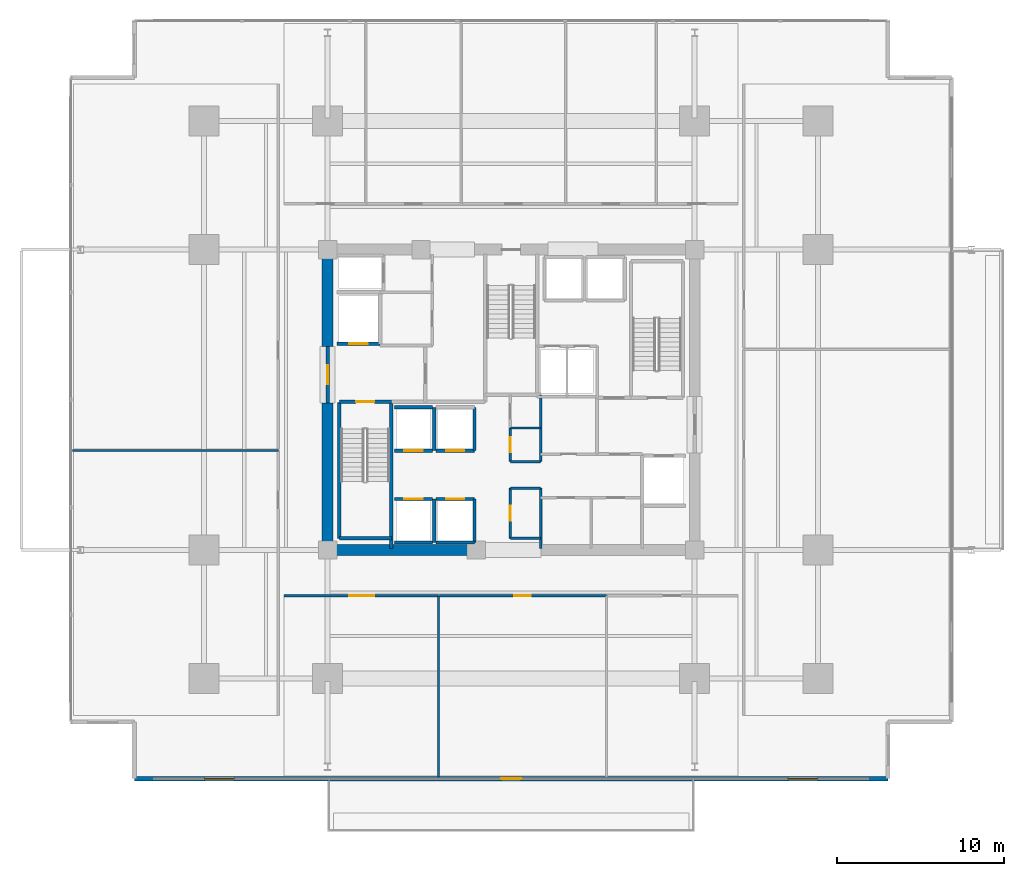
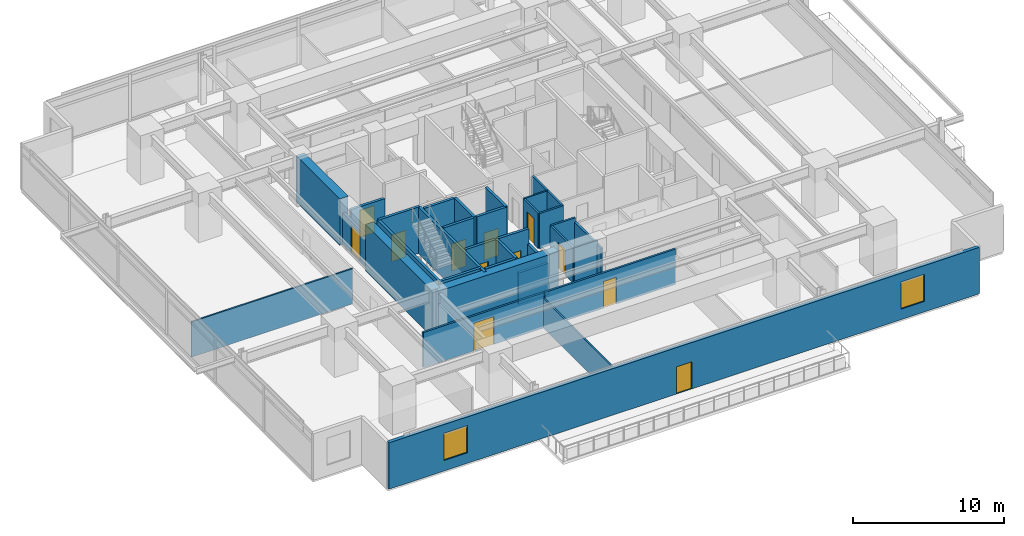
# One storey, part 16 of 24: 33 walls, 12 doors, 2 windows, 14 openings.
"""IFC4 building model written with IfcOpenShell, lengths in metres."""

import ifcopenshell
import ifcopenshell.guid

model = None  # the IFC model being written
_history = None  # IfcOwnerHistory: only IFC2X3 demands one
_inside = {}  # id of a spatial element -> (the spatial element, [elements in it])
_under = {}  # id of a project, library or spatial element -> (it, [spatial elements below it])
_declared = {}  # id of a project -> (the project, [libraries it declares])
_typed = {}  # id of a type object -> (the type object, [elements of that type])
_made_of = {}  # id of a material, layer set ... -> (it, [elements and type objects made of it])


def new_model(schema):
    """Start an empty IFC model of exactly this schema.

    Asked for "IFC4X3", IfcOpenShell would pick the latest addendum, in which some entities
    have other attributes; the version numbers below select the first issue.
    IFC2X3 requires an IfcOwnerHistory on every rooted entity: one is made here for all.
    """
    global model, _history
    if schema == "IFC4X3":
        model = ifcopenshell.file(schema_version=(4, 3, 0, 0))
    else:
        model = ifcopenshell.file(schema=schema)
    _inside.clear()
    _under.clear()
    _declared.clear()
    _typed.clear()
    _made_of.clear()
    _history = None
    if model.schema == "IFC2X3":
        org = make("IfcOrganization", Name="unknown")
        user = make(
            "IfcPersonAndOrganization",
            ThePerson=make("IfcPerson", FamilyName="unknown"),
            TheOrganization=org,
        )
        app = make(
            "IfcApplication",
            ApplicationDeveloper=org,
            Version="unknown",
            ApplicationFullName="unknown",
            ApplicationIdentifier="unknown",
        )
        _history = make(
            "IfcOwnerHistory",
            OwningUser=user,
            OwningApplication=app,
            ChangeAction="ADDED",
            CreationDate=0,
        )
    return model


def make(cls, **values):
    """One entity of the class cls with the attributes given. An attribute that is None is left unset."""
    return model.create_entity(
        cls, **{name: value for name, value in values.items() if value is not None}
    )


def rooted(cls, **values):
    """An entity with a GlobalId (a new one), such as an element, a storey or a relation."""
    return make(cls, GlobalId=ifcopenshell.guid.new(), OwnerHistory=_history, **values)


def si_unit(unit_type, name, prefix=None):
    """IfcSIUnit, for example si_unit("LENGTHUNIT", "METRE", prefix="MILLI")."""
    return make("IfcSIUnit", UnitType=unit_type, Prefix=prefix, Name=name)


def assignment(units):
    """IfcUnitAssignment: the units of a project."""
    return None if units is None else make("IfcUnitAssignment", Units=units)


def point(xyz):
    """IfcCartesianPoint."""
    return None if xyz is None else make("IfcCartesianPoint", Coordinates=xyz)


def direction(xyz):
    """IfcDirection."""
    return None if xyz is None else make("IfcDirection", DirectionRatios=xyz)


def frame(location, z_axis=None, x_axis=None):
    """IfcAxis2Placement3D, a coordinate frame: its origin and axes. An axis left out is left unset."""
    return make(
        "IfcAxis2Placement3D",
        Location=point(location),
        Axis=direction(z_axis),
        RefDirection=direction(x_axis),
    )


def frame_2d(location, x_axis=None):
    """IfcAxis2Placement2D, a coordinate frame in the plane: its origin and x axis."""
    return make(
        "IfcAxis2Placement2D", Location=point(location), RefDirection=direction(x_axis)
    )


def origin():
    """The frame at (0, 0, 0) with its axes left unset."""
    return frame((0.0, 0.0, 0.0))


def place(relative_to, where):
    """IfcLocalPlacement: puts the frame where relative to a parent placement (None: the world)."""
    return make(
        "IfcLocalPlacement", PlacementRelTo=relative_to, RelativePlacement=where
    )


def context(
    kind, dimensions, precision=None, world=None, true_north=None, identifier=None
):
    """IfcGeometricRepresentationContext, for example the 3D "Model" context."""
    return make(
        "IfcGeometricRepresentationContext",
        ContextIdentifier=identifier,
        ContextType=kind,
        CoordinateSpaceDimension=dimensions,
        Precision=precision,
        WorldCoordinateSystem=world,
        TrueNorth=true_north,
    )


def subcontext(parent, identifier, kind, view, scale=None):
    """IfcGeometricRepresentationSubContext, for example "Body" below "Model"."""
    return make(
        "IfcGeometricRepresentationSubContext",
        ContextIdentifier=identifier,
        ContextType=kind,
        ParentContext=parent,
        TargetScale=scale,
        TargetView=view,
    )


def project(units=None, contexts=None):
    """IfcProject with its units and contexts."""
    return rooted(
        "IfcProject",
        Name="project",
        RepresentationContexts=contexts,
        UnitsInContext=assignment(units),
    )


def spatial(cls, under=None, at=None, **own):
    """A site, building, storey or space (cls), placed at a placement, below another one or the project."""
    s = rooted(cls, ObjectPlacement=at, **own)
    if under is not None:
        _under.setdefault(under.id(), (under, []))[1].append(s)
    return s


def profile(cls, at=None, kind="AREA", **sizes):
    """A parametric profile (cls). Its sizes go by their IFC names, for example OverallWidth=200.0."""
    return make(cls, ProfileType=kind, Position=at, **sizes)


def rectangle(**sizes):
    """IfcRectangleProfileDef."""
    return profile("IfcRectangleProfileDef", **sizes)


def extrude(swept, where, along, depth):
    """IfcExtrudedAreaSolid: the profile swept, set in the frame where, extruded along a direction by depth."""
    return make(
        "IfcExtrudedAreaSolid",
        SweptArea=swept,
        Position=where,
        ExtrudedDirection=direction(along),
        Depth=depth,
    )


def shape(context_of_items, identifier, shape_type, items):
    """IfcShapeRepresentation: the items that make up one representation, for example the "Body"."""
    return make(
        "IfcShapeRepresentation",
        ContextOfItems=context_of_items,
        RepresentationIdentifier=identifier,
        RepresentationType=shape_type,
        Items=items,
    )


def material(Name=None, Category=None):
    """IfcMaterial."""
    return make("IfcMaterial", Name=Name, Category=Category)


def layer(
    of_material, thickness, ventilated=None, Name=None, Category=None, Priority=None
):
    """IfcMaterialLayer: one layer of a wall or slab, of a material (None: an air gap)."""
    return make(
        "IfcMaterialLayer",
        Material=of_material,
        LayerThickness=thickness,
        IsVentilated=ventilated,
        Name=Name,
        Category=Category,
        Priority=Priority,
    )


def layer_set(layers, Name=None):
    """IfcMaterialLayerSet."""
    return make("IfcMaterialLayerSet", MaterialLayers=layers, LayerSetName=Name)


def made_of(thing, what):
    """Note that an element or type object is made of a material, layer set ...; save() writes the relation."""
    if what is not None:
        _made_of.setdefault(what.id(), (what, []))[1].append(thing)
    return thing


def type_object(cls, material=None, **own):
    """A type object (cls), such as IfcWallType, which elements share."""
    return made_of(rooted(cls, **own), material)


def element(
    cls,
    number,
    at=None,
    inside=None,
    cuts=None,
    type_object=None,
    material=None,
    context=None,
    identifier="Body",
    shape_type=None,
    held_by="IfcProductDefinitionShape",
    body=None,
    shapes=None,
    **own,
):
    """One element of the class cls, such as IfcWall. Its Tag is "e" and its number.

    at: its placement. inside: the storey or other place that contains it. cuts: it is an
    opening in that element (IfcRelVoidsElement). A single representation is given by context,
    identifier, shape_type and body (its items); several are given by shapes. held_by: the class
    of the entity that holds the representations. save() writes the other relations.
    """
    e = rooted(cls, Tag="e%d" % number, ObjectPlacement=at, **own)
    if body is not None:
        shapes = [shape(context, identifier, shape_type, body)]
    if shapes is not None:
        e.Representation = make(held_by, Representations=shapes)
    if inside is not None:
        _inside.setdefault(inside.id(), (inside, []))[1].append(e)
    if cuts is not None:
        rooted(
            "IfcRelVoidsElement", RelatingBuildingElement=cuts, RelatedOpeningElement=e
        )
    if type_object is not None:
        _typed.setdefault(type_object.id(), (type_object, []))[1].append(e)
    return made_of(e, material)


def fill(opening, filler):
    """IfcRelFillsElement: the door or window that sits in an opening."""
    return rooted(
        "IfcRelFillsElement",
        RelatingOpeningElement=opening,
        RelatedBuildingElement=filler,
    )


def aggregate(whole, parts):
    """IfcRelAggregates: a whole, such as a stair, and the parts it consists of."""
    return rooted("IfcRelAggregates", RelatingObject=whole, RelatedObjects=parts)


def save(model, path):
    """Write the relations noted so far, then the file.

    IfcRelAggregates (storeys below a building ...), IfcRelContainedInSpatialStructure (elements
    in a storey), IfcRelDefinesByType, IfcRelAssociatesMaterial and IfcRelDeclares: one each for
    every whole, place, type object, material and project.
    """
    for whole, parts in _under.values():
        aggregate(whole, parts)
    for where, things in _inside.values():
        rooted(
            "IfcRelContainedInSpatialStructure",
            RelatedElements=things,
            RelatingStructure=where,
        )
    for kind, things in _typed.values():
        rooted("IfcRelDefinesByType", RelatedObjects=things, RelatingType=kind)
    for what, things in _made_of.values():
        rooted("IfcRelAssociatesMaterial", RelatedObjects=things, RelatingMaterial=what)
    for by, libraries in _declared.values():
        rooted("IfcRelDeclares", RelatingContext=by, RelatedDefinitions=libraries)
    model.write(path)


model = new_model("IFC4")

# Units and contexts
model_context = context("Model", 3, precision=1e-05, world=origin(), true_north=direction((0.0, 1.0)))
body_context = subcontext(model_context, "Body", "Model", "MODEL_VIEW")
ifc_project = project(units=[si_unit("LENGTHUNIT", "METRE"), si_unit("AREAUNIT", "SQUARE_METRE"), si_unit("VOLUMEUNIT", "CUBIC_METRE"), si_unit("PLANEANGLEUNIT", "RADIAN"), si_unit("MASSUNIT", "GRAM", prefix="KILO")], contexts=[model_context])

# Site, building, storey
site_placement = place(None, origin())
site = spatial("IfcSite", under=ifc_project, at=site_placement, CompositionType="ELEMENT")
building_placement = place(site_placement, origin())
building = spatial("IfcBuilding", under=site, at=building_placement, Name="Kovane Verandah Tower", CompositionType="ELEMENT")
storey_placement = place(building_placement, frame((0.0, 0.0, 95.60009765625)))
storey = spatial("IfcBuildingStorey", under=building, at=storey_placement, Name="L22", CompositionType="ELEMENT", Elevation=95.60009765625)

# Walls
ifc_material_1 = material(Name="Fire-Rated Gypsum Stud Partition", Category="gypsum")
ifc_layer_1 = layer(ifc_material_1, 0.14990234375)
ifc_layer_set_1 = layer_set([ifc_layer_1], Name="Fire-Rated Gypsum Stud Partition")
wall_type_1 = type_object("IfcWallType", Name="WL-COR-150", PredefinedType="PARTITIONING", material=ifc_layer_set_1)
for number, where, z_axis, x_axis, name in (
    (1, (39.949951171875, 19.199951171875, 0.0), (0.0, 0.0, 1.0), (1.0, 0.0, 0.0), "L22 Central Core Strip South Wall"),
    (2, (39.949951171875, 22.199951171875, 0.0), (0.0, 0.0, 1.0), (1.0, 0.0, 0.0), "L22 Core Cross-Passage South Wall"),
    (3, (39.949951171875, 23.800048828125, 0.0), (0.0, 0.0, 1.0), (1.0, 0.0, 0.0), "L22 Core Cross-Passage North Wall"),
):
    element("IfcWall", number, at=place(storey_placement, frame(where, z_axis=z_axis, x_axis=x_axis)), inside=storey, type_object=wall_type_1, Name=name, PredefinedType="PARTITIONING", context=body_context, shape_type="SweptSolid", body=[
        extrude(rectangle(XDim=1.81005859375, YDim=0.14990234375, at=frame_2d((0.905029296875, 0.0))), origin(), (0.0, 0.0, 1.0), 2.849853515625),
    ])
wall_1_placement = place(storey_placement, frame((41.760009765625, 18.60009765625, 0.0), z_axis=(0.0, 0.0, 1.0), x_axis=(0.0, 1.0, 0.0)))
element("IfcWall", 4, at=wall_1_placement, inside=storey, type_object=wall_type_1, Name="L22 Central Core Strip Lower East Wall", PredefinedType="PARTITIONING", context=body_context, shape_type="SweptSolid", body=[
    extrude(rectangle(XDim=3.599853515625, YDim=0.14990234375, at=frame_2d((1.7998046875, 0.0))), origin(), (0.0, 0.0, 1.0), 2.539794921875),
])
wall_2_placement = place(storey_placement, frame((41.760009765625, 23.800048828125, 0.0), z_axis=(0.0, 0.0, 1.0), x_axis=(0.0, 1.0, 0.0)))
element("IfcWall", 5, at=wall_2_placement, inside=storey, type_object=wall_type_1, Name="L22 Central Core Strip Upper East Wall", PredefinedType="PARTITIONING", context=body_context, shape_type="SweptSolid", body=[
    extrude(rectangle(XDim=4.0, YDim=0.14990234375, at=frame_2d((2.0, 0.0))), origin(), (0.0, 0.0, 1.0), 2.849853515625),
])

# Wall, opening, door
wall_3_placement = place(storey_placement, frame((39.949951171875, 19.199951171875, 0.0), z_axis=(0.0, 0.0, 1.0), x_axis=(0.0, 1.0, 0.0)))
wall_3 = element("IfcWall", 6, at=wall_3_placement, inside=storey, type_object=wall_type_1, Name="L22 Male Toilet Partition", PredefinedType="PARTITIONING", context=body_context, shape_type="SweptSolid", body=[
    extrude(rectangle(XDim=3.0, YDim=0.14990234375, at=frame_2d((1.5, 0.0))), origin(), (0.0, 0.0, 1.0), 2.849853515625),
])
opening_1_placement = place(wall_3_placement, frame((1.050048828125, 0.0, 0.0)))
opening_1 = element("IfcOpeningElement", 7, at=opening_1_placement, cuts=wall_3, Name="Opening DR-L22-030", PredefinedType="OPENING", context=body_context, shape_type="SweptSolid", body=[
    extrude(rectangle(XDim=0.89990234375, YDim=2.10009765625, at=frame_2d((0.449951171875, 1.050048828125))), frame((0.0, 0.074951171875, 0.0), z_axis=(0.0, -1.0, 0.0), x_axis=(1.0, 0.0, 0.0)), (0.0, 0.0, 1.0), 0.14990234375),
])
ifc_material_2 = material(Name="Moisture-Resistant Laminate Washroom Door", Category="wood")
door_type_1 = type_object("IfcDoorType", Name="DR-WC-900", OperationType="SINGLE_SWING_LEFT", PredefinedType="DOOR", material=ifc_material_2)
door_1_placement = place(opening_1_placement, origin())
door_1 = element("IfcDoor", 8, at=door_1_placement, inside=storey, type_object=door_type_1, Name="L22 Male Toilet Door", OperationType="SINGLE_SWING_RIGHT", OverallHeight=2.10009765625, OverallWidth=0.89990234375, PredefinedType="DOOR", context=body_context, shape_type="SweptSolid", body=[
    extrude(rectangle(XDim=0.89990234375, YDim=2.10009765625, at=frame_2d((0.449951171875, 1.050048828125))), frame((0.0, 0.02490234375, 0.0), z_axis=(0.0, -1.0, 0.0), x_axis=(1.0, 0.0, 0.0)), (0.0, 0.0, 1.0), 0.050048828125),
])
fill(opening_1, door_1)

wall_4_placement = place(storey_placement, frame((39.949951171875, 23.800048828125, 0.0), z_axis=(0.0, 0.0, 1.0), x_axis=(0.0, 1.0, 0.0)))
wall_4 = element("IfcWall", 9, at=wall_4_placement, inside=storey, type_object=wall_type_1, Name="L22 Female Toilet Partition", PredefinedType="PARTITIONING", context=body_context, shape_type="SweptSolid", body=[
    extrude(rectangle(XDim=2.0, YDim=0.14990234375, at=frame_2d((1.0, 0.0))), origin(), (0.0, 0.0, 1.0), 2.849853515625),
])
opening_2_placement = place(wall_4_placement, frame((0.550048828125, 0.0, 0.0)))
opening_2 = element("IfcOpeningElement", 10, at=opening_2_placement, cuts=wall_4, Name="Opening DR-L22-029", PredefinedType="OPENING", context=body_context, shape_type="SweptSolid", body=[
    extrude(rectangle(XDim=0.89990234375, YDim=2.10009765625, at=frame_2d((0.449951171875, 1.050048828125))), frame((0.0, 0.074951171875, 0.0), z_axis=(0.0, -1.0, 0.0), x_axis=(1.0, 0.0, 0.0)), (0.0, 0.0, 1.0), 0.14990234375),
])
door_2_placement = place(opening_2_placement, origin())
door_2 = element("IfcDoor", 11, at=door_2_placement, inside=storey, type_object=door_type_1, Name="L22 Female Toilet Door", OperationType="SINGLE_SWING_LEFT", OverallHeight=2.10009765625, OverallWidth=0.89990234375, PredefinedType="DOOR", context=body_context, shape_type="SweptSolid", body=[
    extrude(rectangle(XDim=0.89990234375, YDim=2.10009765625, at=frame_2d((0.449951171875, 1.050048828125))), frame((0.0, 0.02490234375, 0.0), z_axis=(0.0, -1.0, 0.0), x_axis=(1.0, 0.0, 0.0)), (0.0, 0.0, 1.0), 0.050048828125),
])
fill(opening_2, door_2)

wall_5_placement = place(storey_placement, frame((26.39990234375, 15.75, 0.0), z_axis=(0.0, 0.0, 1.0), x_axis=(1.0, 0.0, 0.0)))
wall_5 = element("IfcWall", 12, at=wall_5_placement, inside=storey, type_object=wall_type_1, Name="L22 Client Boardroom S1 Corridor Partition", PredefinedType="PARTITIONING", context=body_context, shape_type="SweptSolid", body=[
    extrude(rectangle(XDim=9.248046875, YDim=0.14990234375, at=frame_2d((4.6240234375, 0.0))), origin(), (0.0, 0.0, 1.0), 2.849853515625),
])
opening_3_placement = place(wall_5_placement, frame((3.888916015625, 0.0, 0.0)))
opening_3 = element("IfcOpeningElement", 13, at=opening_3_placement, cuts=wall_5, Name="Opening DR-L22-024", PredefinedType="OPENING", context=body_context, shape_type="SweptSolid", body=[
    extrude(rectangle(XDim=1.5, YDim=2.25, at=frame_2d((0.75, 1.125))), frame((0.0, 0.074951171875, 0.0), z_axis=(0.0, -1.0, 0.0), x_axis=(1.0, 0.0, 0.0)), (0.0, 0.0, 1.0), 0.14990234375),
])
ifc_material_3 = material(Name="Glazed Timber Fire-Rated Double Door", Category="wood")
door_type_2 = type_object("IfcDoorType", Name="DR-CONF-1500", OperationType="DOUBLE_DOOR_SINGLE_SWING", PredefinedType="DOOR", material=ifc_material_3)
door_3_placement = place(opening_3_placement, origin())
door_3 = element("IfcDoor", 14, at=door_3_placement, inside=storey, type_object=door_type_2, Name="L22 Client Boardroom S1 Entrance Door", OperationType="DOUBLE_DOOR_SINGLE_SWING", OverallHeight=2.25, OverallWidth=1.5, PredefinedType="DOOR", context=body_context, shape_type="SweptSolid", body=[
    extrude(rectangle(XDim=1.5, YDim=2.25, at=frame_2d((0.75, 1.125))), frame((0.0, 0.02490234375, 0.0), z_axis=(0.0, -1.0, 0.0), x_axis=(1.0, 0.0, 0.0)), (0.0, 0.0, 1.0), 0.050048828125),
])
fill(opening_3, door_3)

wall_6_placement = place(storey_placement, frame((35.718017578125, 15.75, 0.0), z_axis=(0.0, 0.0, 1.0), x_axis=(1.0, 0.0, 0.0)))
wall_6 = element("IfcWall", 15, at=wall_6_placement, inside=storey, type_object=wall_type_1, Name="L22 Meeting Room S2 Corridor Partition", PredefinedType="PARTITIONING", context=body_context, shape_type="SweptSolid", body=[
    extrude(rectangle(XDim=9.993896484375, YDim=0.14990234375, at=frame_2d((4.9970703125, 0.0))), origin(), (0.0, 0.0, 1.0), 2.849853515625),
])
opening_4_placement = place(wall_6_placement, frame((4.4619140625, 0.0, 0.0)))
opening_4 = element("IfcOpeningElement", 16, at=opening_4_placement, cuts=wall_6, Name="Opening DR-L22-025", PredefinedType="OPENING", context=body_context, shape_type="SweptSolid", body=[
    extrude(rectangle(XDim=1.0, YDim=2.14990234375, at=frame_2d((0.5, 1.074951171875))), frame((0.0, 0.074951171875, 0.0), z_axis=(0.0, -1.0, 0.0), x_axis=(1.0, 0.0, 0.0)), (0.0, 0.0, 1.0), 0.14990234375),
])
ifc_material_4 = material(Name="FSC Spotted-Gum Timber Fire-Rated Office Door", Category="wood")
door_type_3 = type_object("IfcDoorType", Name="DR-OFF-1000", OperationType="SINGLE_SWING_LEFT", PredefinedType="DOOR", material=ifc_material_4)
door_4_placement = place(opening_4_placement, origin())
door_4 = element("IfcDoor", 17, at=door_4_placement, inside=storey, type_object=door_type_3, Name="L22 Meeting Room S2 Entrance Door", OperationType="SINGLE_SWING_RIGHT", OverallHeight=2.14990234375, OverallWidth=1.0, PredefinedType="DOOR", context=body_context, shape_type="SweptSolid", body=[
    extrude(rectangle(XDim=1.0, YDim=2.14990234375, at=frame_2d((0.5, 1.074951171875))), frame((0.0, 0.02490234375, 0.0), z_axis=(0.0, -1.0, 0.0), x_axis=(1.0, 0.0, 0.0)), (0.0, 0.0, 1.0), 0.050048828125),
])
fill(opening_4, door_4)

# Walls
ifc_material_5 = material(Name="Concrete C80/95", Category="concrete")
ifc_layer_2 = layer(ifc_material_5, 0.64990234375)
ifc_layer_set_2 = layer_set([ifc_layer_2], Name="Concrete C80/95")
wall_type_2 = type_object("IfcWallType", Name="WL-CORE-650", PredefinedType="SHEAR", material=ifc_layer_set_2)
wall_7_placement = place(storey_placement, frame((29.0, 18.5, 0.0), z_axis=(0.0, 0.0, 1.0), x_axis=(1.0, 0.0, 0.0)))
element("IfcWall", 18, at=wall_7_placement, inside=storey, type_object=wall_type_2, Name="L22 Core Shear Wall CS-1", PredefinedType="SHEAR", context=body_context, shape_type="SweptSolid", body=[
    extrude(rectangle(XDim=9.199951171875, YDim=0.64990234375, at=frame_2d((4.60009765625, 0.0))), origin(), (0.0, 0.0, 1.0), 3.760009765625),
])
wall_8_placement = place(storey_placement, frame((29.0, 18.5, 0.0), z_axis=(0.0, 0.0, 1.0), x_axis=(0.0, 1.0, 0.0)))
element("IfcWall", 19, at=wall_8_placement, inside=storey, type_object=wall_type_2, Name="L22 Core Shear Wall CW-1", PredefinedType="SHEAR", context=body_context, shape_type="SweptSolid", body=[
    extrude(rectangle(XDim=8.800048828125, YDim=0.64990234375, at=frame_2d((4.39990234375, 0.0))), origin(), (0.0, 0.0, 1.0), 3.760009765625),
])
wall_9_placement = place(storey_placement, frame((29.0, 30.699951171875, 0.0), z_axis=(0.0, 0.0, 1.0), x_axis=(0.0, 1.0, 0.0)))
element("IfcWall", 20, at=wall_9_placement, inside=storey, type_object=wall_type_2, Name="L22 Core Shear Wall CW-2", PredefinedType="SHEAR", context=body_context, shape_type="SweptSolid", body=[
    extrude(rectangle(XDim=5.800048828125, YDim=0.64990234375, at=frame_2d((2.89990234375, 0.0))), origin(), (0.0, 0.0, 1.0), 3.760009765625),
])

# Wall, opening, door
ifc_material_6 = material(Name="Concrete C45/55 Fire Wall", Category="concrete")
ifc_layer_3 = layer(ifc_material_6, 0.199951171875)
ifc_layer_set_3 = layer_set([ifc_layer_3], Name="Concrete C45/55 Fire Wall")
wall_type_3 = type_object("IfcWallType", Name="WL-FFL-200", PredefinedType="PARTITIONING", material=ifc_layer_set_3)
wall_10_placement = place(storey_placement, frame((29.0, 27.300048828125, 0.0), z_axis=(0.0, 0.0, 1.0), x_axis=(0.0, 1.0, 0.0)))
wall_10 = element("IfcWall", 21, at=wall_10_placement, inside=storey, type_object=wall_type_3, Name="W-L22-FFLW-OUT", PredefinedType="PARTITIONING", context=body_context, shape_type="SweptSolid", body=[
    extrude(rectangle(XDim=3.39990234375, YDim=0.199951171875, at=frame_2d((1.699951171875, 0.0))), origin(), (0.0, 0.0, 1.0), 2.539794921875),
])
opening_5_placement = place(wall_10_placement, frame((1.125, 0.0, 0.0)))
opening_5 = element("IfcOpeningElement", 22, at=opening_5_placement, cuts=wall_10, Name="Opening DR-L22-007", PredefinedType="OPENING", context=body_context, shape_type="SweptSolid", body=[
    extrude(rectangle(XDim=1.14990234375, YDim=2.199951171875, at=frame_2d((0.574951171875, 1.10009765625))), frame((0.0, 0.10009765625, 0.0), z_axis=(0.0, -1.0, 0.0), x_axis=(1.0, 0.0, 0.0)), (0.0, 0.0, 1.0), 0.199951171875),
])
ifc_material_7 = material(Name="Smoke-Sealed Firefighting Lobby Door", Category="steel")
door_type_4 = type_object("IfcDoorType", Name="DR-FFL-1150", OperationType="SINGLE_SWING_LEFT", PredefinedType="DOOR", material=ifc_material_7)
door_5_placement = place(opening_5_placement, origin())
door_5 = element("IfcDoor", 23, at=door_5_placement, inside=storey, type_object=door_type_4, Name="L22 West Firefighting Lobby Corridor Door", OperationType="SINGLE_SWING_RIGHT", OverallHeight=2.199951171875, OverallWidth=1.14990234375, PredefinedType="DOOR", context=body_context, shape_type="SweptSolid", body=[
    extrude(rectangle(XDim=1.14990234375, YDim=2.199951171875, at=frame_2d((0.574951171875, 1.10009765625))), frame((0.0, 0.02490234375, 0.0), z_axis=(0.0, -1.0, 0.0), x_axis=(1.0, 0.0, 0.0)), (0.0, 0.0, 1.0), 0.050048828125),
])
fill(opening_5, door_5)

ifc_material_8 = material(Name="Concrete C45/55 Lift Shaft Wall", Category="concrete")
ifc_layer_4 = layer(ifc_material_8, 0.199951171875)
ifc_layer_set_4 = layer_set([ifc_layer_4], Name="Concrete C45/55 Lift Shaft Wall")
wall_type_4 = type_object("IfcWallType", Name="WL-LIFT-200", PredefinedType="SOLIDWALL", material=ifc_layer_set_4)
wall_11_placement = place(storey_placement, frame((29.550048828125, 30.85009765625, 0.0), z_axis=(0.0, 0.0, 1.0), x_axis=(1.0, 0.0, 0.0)))
wall_11 = element("IfcWall", 24, at=wall_11_placement, inside=storey, type_object=wall_type_4, Name="L22 Lift FL-01 S Shaft Wall", PredefinedType="SOLIDWALL", context=body_context, shape_type="SweptSolid", body=[
    extrude(rectangle(XDim=2.599853515625, YDim=0.199951171875, at=frame_2d((1.2998046875, 0.0))), origin(), (0.0, 0.0, 1.0), 2.539794921875),
])
opening_6_placement = place(wall_11_placement, frame((0.75, 0.0, 0.0)))
opening_6 = element("IfcOpeningElement", 25, at=opening_6_placement, cuts=wall_11, Name="Opening LD-L22-001", PredefinedType="OPENING", context=body_context, shape_type="SweptSolid", body=[
    extrude(rectangle(XDim=1.10009765625, YDim=2.199951171875, at=frame_2d((0.550048828125, 1.10009765625))), frame((0.0, 0.10009765625, 0.0), z_axis=(0.0, -1.0, 0.0), x_axis=(1.0, 0.0, 0.0)), (0.0, 0.0, 1.0), 0.199951171875),
])
ifc_material_9 = material(Name="Brushed Stainless Steel Sliding Lift Landing Door", Category="steel")
door_type_5 = type_object("IfcDoorType", Name="DR-LIFT-1100", OperationType="SLIDING_TO_RIGHT", PredefinedType="DOOR", material=ifc_material_9)
door_6_placement = place(opening_6_placement, origin())
door_6 = element("IfcDoor", 26, at=door_6_placement, inside=storey, type_object=door_type_5, Name="L22 Lift FL-01 Sliding Landing Door", OperationType="SLIDING_TO_RIGHT", OverallHeight=2.199951171875, OverallWidth=1.10009765625, PredefinedType="DOOR", context=body_context, shape_type="SweptSolid", body=[
    extrude(rectangle(XDim=1.10009765625, YDim=2.199951171875, at=frame_2d((0.550048828125, 1.10009765625))), frame((0.0, 0.02490234375, 0.0), z_axis=(0.0, -1.0, 0.0), x_axis=(1.0, 0.0, 0.0)), (0.0, 0.0, 1.0), 0.050048828125),
])
fill(opening_6, door_6)

# Wall
wall_12_placement = place(storey_placement, frame((33.0, 18.949951171875, 0.0), z_axis=(0.0, 0.0, 1.0), x_axis=(1.0, 0.0, 0.0)))
element("IfcWall", 27, at=wall_12_placement, inside=storey, type_object=wall_type_4, Name="L22 Lift PL-L1 S Shaft Wall", PredefinedType="SOLIDWALL", context=body_context, shape_type="SweptSolid", body=[
    extrude(rectangle(XDim=2.300048828125, YDim=0.199951171875, at=frame_2d((1.14990234375, 0.0))), origin(), (0.0, 0.0, 1.0), 3.760009765625),
])

# Wall, opening, door
wall_13_placement = place(storey_placement, frame((35.300048828125, 21.550048828125, 0.0), z_axis=(0.0, 0.0, 1.0), x_axis=(-1.0, 0.0, 0.0)))
wall_13 = element("IfcWall", 28, at=wall_13_placement, inside=storey, type_object=wall_type_4, Name="L22 Lift PL-L1 N Shaft Wall", PredefinedType="SOLIDWALL", context=body_context, shape_type="SweptSolid", body=[
    extrude(rectangle(XDim=2.300048828125, YDim=0.199951171875, at=frame_2d((1.14990234375, 0.0))), origin(), (0.0, 0.0, 1.0), 3.760009765625),
])
opening_7_placement = place(wall_13_placement, frame((0.60009765625, 0.0, 0.0)))
opening_7 = element("IfcOpeningElement", 29, at=opening_7_placement, cuts=wall_13, Name="Opening LD-L22-004", PredefinedType="OPENING", context=body_context, shape_type="SweptSolid", body=[
    extrude(rectangle(XDim=1.10009765625, YDim=2.199951171875, at=frame_2d((0.550048828125, 1.10009765625))), frame((0.0, 0.10009765625, 0.0), z_axis=(0.0, -1.0, 0.0), x_axis=(1.0, 0.0, 0.0)), (0.0, 0.0, 1.0), 0.199951171875),
])
door_7_placement = place(opening_7_placement, origin())
door_7 = element("IfcDoor", 30, at=door_7_placement, inside=storey, type_object=door_type_5, Name="L22 Lift PL-L1 Sliding Landing Door", OperationType="SLIDING_TO_RIGHT", OverallHeight=2.199951171875, OverallWidth=1.10009765625, PredefinedType="DOOR", context=body_context, shape_type="SweptSolid", body=[
    extrude(rectangle(XDim=1.10009765625, YDim=2.199951171875, at=frame_2d((0.550048828125, 1.10009765625))), frame((0.0, 0.02490234375, 0.0), z_axis=(0.0, -1.0, 0.0), x_axis=(1.0, 0.0, 0.0)), (0.0, 0.0, 1.0), 0.050048828125),
])
fill(opening_7, door_7)

# Walls
wall_14_placement = place(storey_placement, frame((35.39990234375, 18.949951171875, 0.0), z_axis=(0.0, 0.0, 1.0), x_axis=(0.0, 1.0, 0.0)))
element("IfcWall", 31, at=wall_14_placement, inside=storey, type_object=wall_type_4, Name="L22 Lift PL-L1 and PL-L2 Shared Shaft Wall", PredefinedType="SOLIDWALL", context=body_context, shape_type="SweptSolid", body=[
    extrude(rectangle(XDim=2.60009765625, YDim=0.199951171875, at=frame_2d((1.300048828125, 0.0))), origin(), (0.0, 0.0, 1.0), 3.760009765625),
])
wall_15_placement = place(storey_placement, frame((35.5, 18.949951171875, 0.0), z_axis=(0.0, 0.0, 1.0), x_axis=(1.0, 0.0, 0.0)))
element("IfcWall", 32, at=wall_15_placement, inside=storey, type_object=wall_type_4, Name="L22 Lift PL-L2 S Shaft Wall", PredefinedType="SOLIDWALL", context=body_context, shape_type="SweptSolid", body=[
    extrude(rectangle(XDim=2.300048828125, YDim=0.199951171875, at=frame_2d((1.14990234375, 0.0))), origin(), (0.0, 0.0, 1.0), 2.539794921875),
])

# Wall, opening, door
wall_16_placement = place(storey_placement, frame((37.800048828125, 21.550048828125, 0.0), z_axis=(0.0, 0.0, 1.0), x_axis=(-1.0, 0.0, 0.0)))
wall_16 = element("IfcWall", 33, at=wall_16_placement, inside=storey, type_object=wall_type_4, Name="L22 Lift PL-L2 N Shaft Wall", PredefinedType="SOLIDWALL", context=body_context, shape_type="SweptSolid", body=[
    extrude(rectangle(XDim=2.300048828125, YDim=0.199951171875, at=frame_2d((1.14990234375, 0.0))), origin(), (0.0, 0.0, 1.0), 3.760009765625),
])
opening_8_placement = place(wall_16_placement, frame((0.60009765625, 0.0, 0.0)))
opening_8 = element("IfcOpeningElement", 34, at=opening_8_placement, cuts=wall_16, Name="Opening LD-L22-005", PredefinedType="OPENING", context=body_context, shape_type="SweptSolid", body=[
    extrude(rectangle(XDim=1.10009765625, YDim=2.199951171875, at=frame_2d((0.550048828125, 1.10009765625))), frame((0.0, 0.10009765625, 0.0), z_axis=(0.0, -1.0, 0.0), x_axis=(1.0, 0.0, 0.0)), (0.0, 0.0, 1.0), 0.199951171875),
])
door_8_placement = place(opening_8_placement, origin())
door_8 = element("IfcDoor", 35, at=door_8_placement, inside=storey, type_object=door_type_5, Name="L22 Lift PL-L2 Sliding Landing Door", OperationType="SLIDING_TO_RIGHT", OverallHeight=2.199951171875, OverallWidth=1.10009765625, PredefinedType="DOOR", context=body_context, shape_type="SweptSolid", body=[
    extrude(rectangle(XDim=1.10009765625, YDim=2.199951171875, at=frame_2d((0.550048828125, 1.10009765625))), frame((0.0, 0.02490234375, 0.0), z_axis=(0.0, -1.0, 0.0), x_axis=(1.0, 0.0, 0.0)), (0.0, 0.0, 1.0), 0.050048828125),
])
fill(opening_8, door_8)

# Wall
wall_17_placement = place(storey_placement, frame((37.800048828125, 18.949951171875, 0.0), z_axis=(0.0, 0.0, 1.0), x_axis=(0.0, 1.0, 0.0)))
element("IfcWall", 36, at=wall_17_placement, inside=storey, type_object=wall_type_4, Name="L22 Lift PL-L2 E Shaft Wall", PredefinedType="SOLIDWALL", context=body_context, shape_type="SweptSolid", body=[
    extrude(rectangle(XDim=2.60009765625, YDim=0.199951171875, at=frame_2d((1.300048828125, 0.0))), origin(), (0.0, 0.0, 1.0), 2.539794921875),
])

# Wall, opening, door
wall_18_placement = place(storey_placement, frame((33.0, 24.449951171875, 0.0), z_axis=(0.0, 0.0, 1.0), x_axis=(1.0, 0.0, 0.0)))
wall_18 = element("IfcWall", 37, at=wall_18_placement, inside=storey, type_object=wall_type_4, Name="L22 Lift PL-L3 S Shaft Wall", PredefinedType="SOLIDWALL", context=body_context, shape_type="SweptSolid", body=[
    extrude(rectangle(XDim=2.300048828125, YDim=0.199951171875, at=frame_2d((1.14990234375, 0.0))), origin(), (0.0, 0.0, 1.0), 3.760009765625),
])
opening_9_placement = place(wall_18_placement, frame((0.60009765625, 0.0, 0.0)))
opening_9 = element("IfcOpeningElement", 38, at=opening_9_placement, cuts=wall_18, Name="Opening LD-L22-006", PredefinedType="OPENING", context=body_context, shape_type="SweptSolid", body=[
    extrude(rectangle(XDim=1.10009765625, YDim=2.199951171875, at=frame_2d((0.550048828125, 1.10009765625))), frame((0.0, 0.10009765625, 0.0), z_axis=(0.0, -1.0, 0.0), x_axis=(1.0, 0.0, 0.0)), (0.0, 0.0, 1.0), 0.199951171875),
])
door_9_placement = place(opening_9_placement, origin())
door_9 = element("IfcDoor", 39, at=door_9_placement, inside=storey, type_object=door_type_5, Name="L22 Lift PL-L3 Sliding Landing Door", OperationType="SLIDING_TO_RIGHT", OverallHeight=2.199951171875, OverallWidth=1.10009765625, PredefinedType="DOOR", context=body_context, shape_type="SweptSolid", body=[
    extrude(rectangle(XDim=1.10009765625, YDim=2.199951171875, at=frame_2d((0.550048828125, 1.10009765625))), frame((0.0, 0.02490234375, 0.0), z_axis=(0.0, -1.0, 0.0), x_axis=(1.0, 0.0, 0.0)), (0.0, 0.0, 1.0), 0.050048828125),
])
fill(opening_9, door_9)

# Walls
wall_19_placement = place(storey_placement, frame((35.300048828125, 27.050048828125, 0.0), z_axis=(0.0, 0.0, 1.0), x_axis=(-1.0, 0.0, 0.0)))
element("IfcWall", 40, at=wall_19_placement, inside=storey, type_object=wall_type_4, Name="L22 Lift PL-L3 N Shaft Wall", PredefinedType="SOLIDWALL", context=body_context, shape_type="SweptSolid", body=[
    extrude(rectangle(XDim=2.300048828125, YDim=0.199951171875, at=frame_2d((1.14990234375, 0.0))), origin(), (0.0, 0.0, 1.0), 3.760009765625),
])
wall_20_placement = place(storey_placement, frame((35.39990234375, 24.449951171875, 0.0), z_axis=(0.0, 0.0, 1.0), x_axis=(0.0, 1.0, 0.0)))
element("IfcWall", 41, at=wall_20_placement, inside=storey, type_object=wall_type_4, Name="L22 Lift PL-L3 and PL-L4 Shared Shaft Wall", PredefinedType="SOLIDWALL", context=body_context, shape_type="SweptSolid", body=[
    extrude(rectangle(XDim=2.60009765625, YDim=0.199951171875, at=frame_2d((1.300048828125, 0.0))), origin(), (0.0, 0.0, 1.0), 3.760009765625),
])

# Wall, opening, door
wall_21_placement = place(storey_placement, frame((35.5, 24.449951171875, 0.0), z_axis=(0.0, 0.0, 1.0), x_axis=(1.0, 0.0, 0.0)))
wall_21 = element("IfcWall", 42, at=wall_21_placement, inside=storey, type_object=wall_type_4, Name="L22 Lift PL-L4 S Shaft Wall", PredefinedType="SOLIDWALL", context=body_context, shape_type="SweptSolid", body=[
    extrude(rectangle(XDim=2.300048828125, YDim=0.199951171875, at=frame_2d((1.14990234375, 0.0))), origin(), (0.0, 0.0, 1.0), 3.760009765625),
])
opening_10_placement = place(wall_21_placement, frame((0.60009765625, 0.0, 0.0)))
opening_10 = element("IfcOpeningElement", 43, at=opening_10_placement, cuts=wall_21, Name="Opening LD-L22-007", PredefinedType="OPENING", context=body_context, shape_type="SweptSolid", body=[
    extrude(rectangle(XDim=1.10009765625, YDim=2.199951171875, at=frame_2d((0.550048828125, 1.10009765625))), frame((0.0, 0.10009765625, 0.0), z_axis=(0.0, -1.0, 0.0), x_axis=(1.0, 0.0, 0.0)), (0.0, 0.0, 1.0), 0.199951171875),
])
door_10_placement = place(opening_10_placement, origin())
door_10 = element("IfcDoor", 44, at=door_10_placement, inside=storey, type_object=door_type_5, Name="L22 Lift PL-L4 Sliding Landing Door", OperationType="SLIDING_TO_RIGHT", OverallHeight=2.199951171875, OverallWidth=1.10009765625, PredefinedType="DOOR", context=body_context, shape_type="SweptSolid", body=[
    extrude(rectangle(XDim=1.10009765625, YDim=2.199951171875, at=frame_2d((0.550048828125, 1.10009765625))), frame((0.0, 0.02490234375, 0.0), z_axis=(0.0, -1.0, 0.0), x_axis=(1.0, 0.0, 0.0)), (0.0, 0.0, 1.0), 0.050048828125),
])
fill(opening_10, door_10)

# Walls
wall_22_placement = place(storey_placement, frame((37.800048828125, 24.449951171875, 0.0), z_axis=(0.0, 0.0, 1.0), x_axis=(0.0, 1.0, 0.0)))
element("IfcWall", 45, at=wall_22_placement, inside=storey, type_object=wall_type_4, Name="L22 Lift PL-L4 E Shaft Wall", PredefinedType="SOLIDWALL", context=body_context, shape_type="SweptSolid", body=[
    extrude(rectangle(XDim=2.60009765625, YDim=0.199951171875, at=frame_2d((1.300048828125, 0.0))), origin(), (0.0, 0.0, 1.0), 3.760009765625),
])
ifc_material_10 = material(Name="Acoustic Fire-Rated Gypsum Partition", Category="gypsum")
ifc_layer_5 = layer(ifc_material_10, 0.1201171875)
ifc_layer_set_5 = layer_set([ifc_layer_5], Name="Acoustic Fire-Rated Gypsum Partition")
wall_type_5 = type_object("IfcWallType", Name="WL-PART-120", PredefinedType="PARTITIONING", material=ifc_layer_set_5)
wall_23_placement = place(storey_placement, frame((39.949951171875, 25.800048828125, 0.0), z_axis=(0.0, 0.0, 1.0), x_axis=(1.0, 0.0, 0.0)))
element("IfcWall", 46, at=wall_23_placement, inside=storey, type_object=wall_type_5, Name="L22 Central Core Strip Upper Dividing Partition", PredefinedType="PARTITIONING", context=body_context, shape_type="SweptSolid", body=[
    extrude(rectangle(XDim=1.81005859375, YDim=0.1201171875, at=frame_2d((0.905029296875, 0.0))), origin(), (0.0, 0.0, 1.0), 2.849853515625),
])
wall_24_placement = place(storey_placement, frame((35.64794921875, 4.88916015625, 0.0), z_axis=(0.0, 0.0, 1.0), x_axis=(0.0, 1.0, 0.0)))
element("IfcWall", 47, at=wall_24_placement, inside=storey, type_object=wall_type_5, Name="L22 Client Boardroom S1 Dividing Partition", PredefinedType="PARTITIONING", context=body_context, shape_type="SweptSolid", body=[
    extrude(rectangle(XDim=10.86083984375, YDim=0.1201171875, at=frame_2d((5.430419921875, 0.0))), origin(), (0.0, 0.0, 1.0), 2.389892578125),
])
wall_25_placement = place(storey_placement, frame((13.712890625, 24.474365234375, 0.0), z_axis=(0.0, 0.0, 1.0), x_axis=(1.0, 0.0, 0.0)))
element("IfcWall", 48, at=wall_25_placement, inside=storey, type_object=wall_type_5, Name="L22 Breakout Pantry W1 Dividing Partition", PredefinedType="PARTITIONING", context=body_context, shape_type="SweptSolid", body=[
    extrude(rectangle(XDim=12.337158203125, YDim=0.1201171875, at=frame_2d((6.16845703125, 0.0))), origin(), (0.0, 0.0, 1.0), 2.849853515625),
])
ifc_material_11 = material(Name="Concrete C45/55", Category="concrete")
ifc_layer_6 = layer(ifc_material_11, 0.199951171875)
ifc_layer_set_6 = layer_set([ifc_layer_6], Name="Concrete C45/55")
wall_type_6 = type_object("IfcWallType", Name="WL-SHAFT-200", PredefinedType="SOLIDWALL", material=ifc_layer_set_6)
wall_26_placement = place(storey_placement, frame((29.699951171875, 19.199951171875, 0.0), z_axis=(0.0, 0.0, 1.0), x_axis=(0.0, 1.0, 0.0)))
element("IfcWall", 49, at=wall_26_placement, inside=storey, type_object=wall_type_6, Name="W-L22-ST01-W", PredefinedType="SOLIDWALL", context=body_context, shape_type="SweptSolid", body=[
    extrude(rectangle(XDim=8.150146484375, YDim=0.199951171875, at=frame_2d((4.0751953125, 0.0))), origin(), (0.0, 0.0, 1.0), 3.760009765625),
])
wall_27_placement = place(storey_placement, frame((29.699951171875, 19.199951171875, 0.0), z_axis=(0.0, 0.0, 1.0), x_axis=(1.0, 0.0, 0.0)))
element("IfcWall", 50, at=wall_27_placement, inside=storey, type_object=wall_type_6, Name="W-L22-ST01-S", PredefinedType="SOLIDWALL", context=body_context, shape_type="SweptSolid", body=[
    extrude(rectangle(XDim=3.1201171875, YDim=0.199951171875, at=frame_2d((1.56005859375, 0.0))), origin(), (0.0, 0.0, 1.0), 3.760009765625),
])
wall_28_placement = place(storey_placement, frame((32.820068359375, 18.60009765625, 0.0), z_axis=(0.0, 0.0, 1.0), x_axis=(0.0, 1.0, 0.0)))
element("IfcWall", 51, at=wall_28_placement, inside=storey, type_object=wall_type_6, Name="W-L22-ST01-E", PredefinedType="SOLIDWALL", context=body_context, shape_type="SweptSolid", body=[
    extrude(rectangle(XDim=8.77978515625, YDim=0.199951171875, at=frame_2d((4.389892578125, 0.0))), origin(), (0.0, 0.0, 1.0), 3.760009765625),
])

# Wall, opening, door
wall_29_placement = place(storey_placement, frame((29.699951171875, 27.3798828125, 0.0), z_axis=(0.0, 0.0, 1.0), x_axis=(1.0, 0.0, 0.0)))
wall_29 = element("IfcWall", 52, at=wall_29_placement, inside=storey, type_object=wall_type_6, Name="W-L22-ST01-N", PredefinedType="SOLIDWALL", context=body_context, shape_type="SweptSolid", body=[
    extrude(rectangle(XDim=3.1201171875, YDim=0.199951171875, at=frame_2d((1.56005859375, 0.0))), origin(), (0.0, 0.0, 1.0), 3.760009765625),
])
opening_11_placement = place(wall_29_placement, frame((1.010009765625, 0.0, 0.0)))
opening_11 = element("IfcOpeningElement", 53, at=opening_11_placement, cuts=wall_29, Name="Opening DR-L22-009", PredefinedType="OPENING", context=body_context, shape_type="SweptSolid", body=[
    extrude(rectangle(XDim=1.10009765625, YDim=2.14990234375, at=frame_2d((0.550048828125, 1.074951171875))), frame((0.0, 0.10009765625, 0.0), z_axis=(0.0, -1.0, 0.0), x_axis=(1.0, 0.0, 0.0)), (0.0, 0.0, 1.0), 0.199951171875),
])
ifc_material_12 = material(Name="Fire-Rated Steel Exit Door", Category="steel")
door_type_6 = type_object("IfcDoorType", Name="DR-STAIR-1100", OperationType="SINGLE_SWING_LEFT", PredefinedType="DOOR", material=ifc_material_12)
door_11_placement = place(opening_11_placement, origin())
door_11 = element("IfcDoor", 54, at=door_11_placement, inside=storey, type_object=door_type_6, Name="L22 ST-01 Fire Exit Stair Door", OperationType="SINGLE_SWING_LEFT", OverallHeight=2.14990234375, OverallWidth=1.10009765625, PredefinedType="DOOR", context=body_context, shape_type="SweptSolid", body=[
    extrude(rectangle(XDim=1.10009765625, YDim=2.14990234375, at=frame_2d((0.550048828125, 1.074951171875))), frame((0.0, 0.02490234375, 0.0), z_axis=(0.0, -1.0, 0.0), x_axis=(1.0, 0.0, 0.0)), (0.0, 0.0, 1.0), 0.050048828125),
])
fill(opening_11, door_11)

# Wall, openings, door, windows
ifc_material_13 = material(Name="Concrete C45/55 Insulated Spandrel Wall", Category="concrete")
ifc_layer_7 = layer(ifc_material_13, 0.260009765625)
ifc_layer_set_7 = layer_set([ifc_layer_7], Name="Concrete C45/55 Insulated Spandrel Wall")
wall_type_7 = type_object("IfcWallType", Name="WL-SPANDREL-260", PredefinedType="PARAPET", material=ifc_layer_set_7)
wall_30_placement = place(storey_placement, frame((17.4130859375, 4.7890625, 0.0), z_axis=(0.0, 0.0, 1.0), x_axis=(1.0, 0.0, 0.0)))
wall_30 = element("IfcWall", 55, at=wall_30_placement, inside=storey, type_object=wall_type_7, Name="L22 S Verandah Access Facade Wall", PredefinedType="PARAPET", context=body_context, shape_type="SweptSolid", body=[
    extrude(rectangle(XDim=45.173828125, YDim=0.260009765625, at=frame_2d((22.5869140625, 0.0))), origin(), (0.0, 0.0, 1.0), 3.760009765625),
])
opening_12_placement = place(wall_30_placement, frame((4.199951171875, 0.0, 0.85009765625)))
opening_12 = element("IfcOpeningElement", 56, at=opening_12_placement, cuts=wall_30, Name="Opening W-03", PredefinedType="OPENING", context=body_context, shape_type="SweptSolid", body=[
    extrude(rectangle(XDim=1.800048828125, YDim=2.199951171875, at=frame_2d((0.89990234375, 1.10009765625))), frame((0.0, 0.1298828125, 0.0), z_axis=(0.0, -1.0, 0.0), x_axis=(1.0, 0.0, 0.0)), (0.0, 0.0, 1.0), 0.260009765625),
])
opening_13_placement = place(wall_30_placement, frame((21.987060546875, 0.0, 0.0)))
opening_13 = element("IfcOpeningElement", 57, at=opening_13_placement, cuts=wall_30, Name="Opening DR-L22-002", PredefinedType="OPENING", context=body_context, shape_type="SweptSolid", body=[
    extrude(rectangle(XDim=1.199951171875, YDim=2.199951171875, at=frame_2d((0.60009765625, 1.10009765625))), frame((0.0, 0.1298828125, 0.0), z_axis=(0.0, -1.0, 0.0), x_axis=(1.0, 0.0, 0.0)), (0.0, 0.0, 1.0), 0.260009765625),
])
opening_14_placement = place(wall_30_placement, frame((39.174072265625, 0.0, 0.85009765625)))
opening_14 = element("IfcOpeningElement", 58, at=opening_14_placement, cuts=wall_30, Name="Opening W-03", PredefinedType="OPENING", context=body_context, shape_type="SweptSolid", body=[
    extrude(rectangle(XDim=1.800048828125, YDim=2.199951171875, at=frame_2d((0.89990234375, 1.10009765625))), frame((0.0, 0.1298828125, 0.0), z_axis=(0.0, -1.0, 0.0), x_axis=(1.0, 0.0, 0.0)), (0.0, 0.0, 1.0), 0.260009765625),
])
ifc_material_14 = material(Name="Cyclone-Rated Glazed Balcony Leaf Door", Category="aluminium")
door_type_7 = type_object("IfcDoorType", Name="DR-BAL-1200x2200", OperationType="SINGLE_SWING_LEFT", PredefinedType="DOOR", material=ifc_material_14)
door_12_placement = place(opening_13_placement, origin())
door_12 = element("IfcDoor", 59, at=door_12_placement, inside=storey, type_object=door_type_7, Name="L22 S Planted Balcony Access Door", OperationType="SINGLE_SWING_LEFT", OverallHeight=2.199951171875, OverallWidth=1.199951171875, PredefinedType="DOOR", context=body_context, shape_type="SweptSolid", body=[
    extrude(rectangle(XDim=1.199951171875, YDim=2.199951171875, at=frame_2d((0.60009765625, 1.10009765625))), frame((0.0, 0.02490234375, 0.0), z_axis=(0.0, -1.0, 0.0), x_axis=(1.0, 0.0, 0.0)), (0.0, 0.0, 1.0), 0.050048828125),
])
fill(opening_13, door_12)
ifc_material_15 = material(Name="Clear Low-E Laminated Double Glazing in Anodised Frame", Category="glass")
window_type = type_object("IfcWindowType", Name="WN-NOTCH-1800x2200", PartitioningType="SINGLE_PANEL", PredefinedType="WINDOW", material=ifc_material_15)
window_1_placement = place(opening_12_placement, origin())
window_1 = element("IfcWindow", 60, at=window_1_placement, inside=storey, type_object=window_type, Name="L22 S Verandah View Window 1", OverallHeight=2.199951171875, OverallWidth=1.800048828125, PartitioningType="SINGLE_PANEL", PredefinedType="WINDOW", context=body_context, shape_type="SweptSolid", body=[
    extrude(rectangle(XDim=1.800048828125, YDim=2.199951171875, at=frame_2d((0.89990234375, 1.10009765625))), frame((0.0, 0.030029296875, 0.0), z_axis=(0.0, -1.0, 0.0), x_axis=(1.0, 0.0, 0.0)), (0.0, 0.0, 1.0), 0.06005859375),
])
fill(opening_12, window_1)
window_2_placement = place(opening_14_placement, origin())
window_2 = element("IfcWindow", 61, at=window_2_placement, inside=storey, type_object=window_type, Name="L22 S Verandah View Window 2", OverallHeight=2.199951171875, OverallWidth=1.800048828125, PartitioningType="SINGLE_PANEL", PredefinedType="WINDOW", context=body_context, shape_type="SweptSolid", body=[
    extrude(rectangle(XDim=1.800048828125, YDim=2.199951171875, at=frame_2d((0.89990234375, 1.10009765625))), frame((0.0, 0.030029296875, 0.0), z_axis=(0.0, -1.0, 0.0), x_axis=(1.0, 0.0, 0.0)), (0.0, 0.0, 1.0), 0.06005859375),
])
fill(opening_14, window_2)

save(model, "model.ifc")
